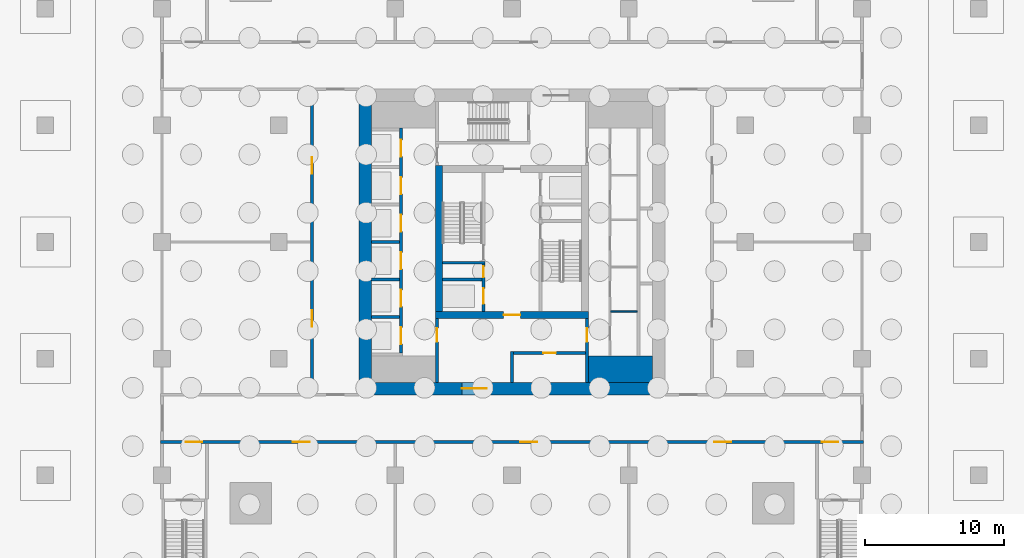
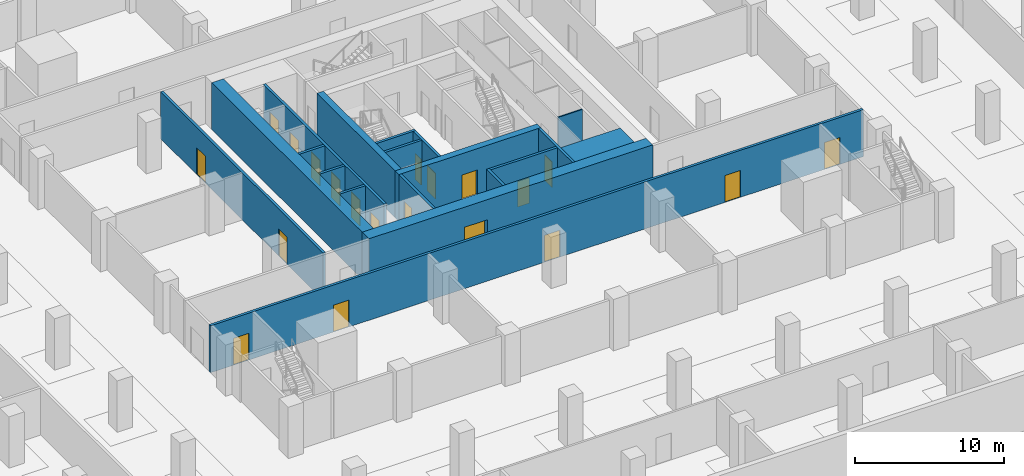
# One storey, part 7 of 19: 20 doors, 19 walls, 20 openings.
"""IFC4 building model written with IfcOpenShell, lengths in metres."""

from ifc_helpers import new_model, si_unit, direction, frame, frame_2d, origin, place, context, subcontext, project, spatial, rectangle, extrude, material, layer, layer_set, type_object, element, fill, save


model = new_model("IFC4")

# Units and contexts
model_context = context("Model", 3, precision=1e-05, world=origin(), true_north=direction((0.0, 1.0)))
body_context = subcontext(model_context, "Body", "Model", "MODEL_VIEW")
ifc_project = project(units=[si_unit("LENGTHUNIT", "METRE"), si_unit("AREAUNIT", "SQUARE_METRE"), si_unit("VOLUMEUNIT", "CUBIC_METRE"), si_unit("PLANEANGLEUNIT", "RADIAN"), si_unit("MASSUNIT", "GRAM", prefix="KILO")], contexts=[model_context])

# Site, building, storey
site_placement = place(None, origin())
site = spatial("IfcSite", under=ifc_project, at=site_placement, CompositionType="ELEMENT")
building_placement = place(site_placement, origin())
building = spatial("IfcBuilding", under=site, at=building_placement, Name="Khepri Terraces", CompositionType="ELEMENT")
storey_placement = place(building_placement, frame((0.0, 0.0, -8.39990234375)))
storey = spatial("IfcBuildingStorey", under=building, at=storey_placement, Name="B2", CompositionType="ELEMENT", Elevation=-8.39990234375)

# Walls
ifc_material_1 = material(Name="Concrete C80/95", Category="concrete")
ifc_layer_1 = layer(ifc_material_1, 1.89990234375, Name="Concrete C80/95", Category="concrete")
ifc_layer_set_1 = layer_set([ifc_layer_1], Name="Concrete C80/95")
wall_type_1 = type_object("IfcWallType", Name="Core wall 1900 C80/95", PredefinedType="SHEAR", material=ifc_layer_set_1)
wall_1_placement = place(storey_placement, frame((5.5, -9.14990234375, 0.0), z_axis=(0.0, 0.0, 1.0), x_axis=(1.0, 0.0, 0.0)))
element("IfcWall", 1, at=wall_1_placement, inside=storey, type_object=wall_type_1, Name="Core wall PR02 B2", PredefinedType="SHEAR", context=body_context, shape_type="SweptSolid", body=[
    extrude(rectangle(XDim=4.60009765625, YDim=1.89990234375, at=frame_2d((2.300048828125, 0.0))), origin(), (0.0, 0.0, 1.0), 3.849853515625),
])
ifc_layer_2 = layer(ifc_material_1, 0.199951171875, Name="Concrete C80/95", Category="concrete")
ifc_layer_set_2 = layer_set([ifc_layer_2], Name="Concrete C80/95")
wall_type_2 = type_object("IfcWallType", Name="Core wall 200 C80/95", PredefinedType="SHEAR", material=ifc_layer_set_2)
wall_2_placement = place(storey_placement, frame((-5.0, -1.5, 0.0), z_axis=(0.0, 0.0, 1.0), x_axis=(1.0, 0.0, 0.0)))
element("IfcWall", 2, at=wall_2_placement, inside=storey, type_object=wall_type_2, Name="Core wall ST02 B2", PredefinedType="SHEAR", context=body_context, shape_type="SweptSolid", body=[
    extrude(rectangle(XDim=3.050048828125, YDim=0.199951171875, at=frame_2d((1.52490234375, 0.0))), origin(), (0.0, 0.0, 1.0), 3.849853515625),
])

# Wall, openings, doors
wall_3_placement = place(storey_placement, frame((-8.0, -8.0, 0.0), z_axis=(0.0, 0.0, 1.0), x_axis=(0.0, 1.0, 0.0)))
wall_3 = element("IfcWall", 3, at=wall_3_placement, inside=storey, type_object=wall_type_2, Name="Core wall SH03 B2", PredefinedType="SHEAR", context=body_context, shape_type="SweptSolid", body=[
    extrude(rectangle(XDim=16.199951171875, YDim=0.199951171875, at=frame_2d((8.10009765625, 0.0))), origin(), (0.0, 0.0, 1.0), 3.849853515625),
])
opening_1_placement = place(wall_3_placement, frame((0.64990234375, 0.0, 0.0)))
opening_1 = element("IfcOpeningElement", 4, at=opening_1_placement, cuts=wall_3, Name="Opening B2-C01", PredefinedType="OPENING", context=body_context, shape_type="SweptSolid", body=[
    extrude(rectangle(XDim=1.199951171875, YDim=2.10009765625, at=frame_2d((0.60009765625, 1.050048828125))), frame((0.0, 0.10986328125, 0.0), z_axis=(0.0, -1.0, 0.0), x_axis=(1.0, 0.0, 0.0)), (0.0, 0.0, 1.0), 0.219970703125),
])
opening_2_placement = place(wall_3_placement, frame((3.35009765625, 0.0, 0.0)))
opening_2 = element("IfcOpeningElement", 5, at=opening_2_placement, cuts=wall_3, Name="Opening B2-C02", PredefinedType="OPENING", context=body_context, shape_type="SweptSolid", body=[
    extrude(rectangle(XDim=1.199951171875, YDim=2.10009765625, at=frame_2d((0.60009765625, 1.050048828125))), frame((0.0, 0.10986328125, 0.0), z_axis=(0.0, -1.0, 0.0), x_axis=(1.0, 0.0, 0.0)), (0.0, 0.0, 1.0), 0.219970703125),
])
opening_3_placement = place(wall_3_placement, frame((6.050048828125, 0.0, 0.0)))
opening_3 = element("IfcOpeningElement", 6, at=opening_3_placement, cuts=wall_3, Name="Opening B2-C03", PredefinedType="OPENING", context=body_context, shape_type="SweptSolid", body=[
    extrude(rectangle(XDim=1.199951171875, YDim=2.10009765625, at=frame_2d((0.60009765625, 1.050048828125))), frame((0.0, 0.10986328125, 0.0), z_axis=(0.0, -1.0, 0.0), x_axis=(1.0, 0.0, 0.0)), (0.0, 0.0, 1.0), 0.219970703125),
])
opening_4_placement = place(wall_3_placement, frame((8.75, 0.0, 0.0)))
opening_4 = element("IfcOpeningElement", 7, at=opening_4_placement, cuts=wall_3, Name="Opening B2-C04", PredefinedType="OPENING", context=body_context, shape_type="SweptSolid", body=[
    extrude(rectangle(XDim=1.199951171875, YDim=2.10009765625, at=frame_2d((0.60009765625, 1.050048828125))), frame((0.0, 0.10986328125, 0.0), z_axis=(0.0, -1.0, 0.0), x_axis=(1.0, 0.0, 0.0)), (0.0, 0.0, 1.0), 0.219970703125),
])
opening_5_placement = place(wall_3_placement, frame((11.449951171875, 0.0, 0.0)))
opening_5 = element("IfcOpeningElement", 8, at=opening_5_placement, cuts=wall_3, Name="Opening B2-C05", PredefinedType="OPENING", context=body_context, shape_type="SweptSolid", body=[
    extrude(rectangle(XDim=1.199951171875, YDim=2.10009765625, at=frame_2d((0.60009765625, 1.050048828125))), frame((0.0, 0.10986328125, 0.0), z_axis=(0.0, -1.0, 0.0), x_axis=(1.0, 0.0, 0.0)), (0.0, 0.0, 1.0), 0.219970703125),
])
opening_6_placement = place(wall_3_placement, frame((14.14990234375, 0.0, 0.0)))
opening_6 = element("IfcOpeningElement", 9, at=opening_6_placement, cuts=wall_3, Name="Opening B2-C06", PredefinedType="OPENING", context=body_context, shape_type="SweptSolid", body=[
    extrude(rectangle(XDim=1.199951171875, YDim=2.10009765625, at=frame_2d((0.60009765625, 1.050048828125))), frame((0.0, 0.10986328125, 0.0), z_axis=(0.0, -1.0, 0.0), x_axis=(1.0, 0.0, 0.0)), (0.0, 0.0, 1.0), 0.219970703125),
])
ifc_material_2 = material(Name="Stainless steel 304", Category="steel")
door_type_1 = type_object("IfcDoorType", Name="DR-CORE-LANDING-1200", OperationType="NOTDEFINED", PredefinedType="DOOR", material=ifc_material_2)
door_1_placement = place(opening_1_placement, origin())
door_1 = element("IfcDoor", 10, at=door_1_placement, inside=storey, type_object=door_type_1, Name="Lift landing door B2-C01", OperationType="SLIDING_TO_LEFT", OverallHeight=2.10009765625, OverallWidth=1.199951171875, PredefinedType="DOOR", context=body_context, shape_type="SweptSolid", body=[
    extrude(rectangle(XDim=1.199951171875, YDim=2.10009765625, at=frame_2d((0.60009765625, 1.050048828125))), frame((0.0, 0.02490234375, 0.0), z_axis=(0.0, -1.0, 0.0), x_axis=(1.0, 0.0, 0.0)), (0.0, 0.0, 1.0), 0.050048828125),
])
fill(opening_1, door_1)
door_2_placement = place(opening_2_placement, origin())
door_2 = element("IfcDoor", 11, at=door_2_placement, inside=storey, type_object=door_type_1, Name="Lift landing door B2-C02", OperationType="SLIDING_TO_LEFT", OverallHeight=2.10009765625, OverallWidth=1.199951171875, PredefinedType="DOOR", context=body_context, shape_type="SweptSolid", body=[
    extrude(rectangle(XDim=1.199951171875, YDim=2.10009765625, at=frame_2d((0.60009765625, 1.050048828125))), frame((0.0, 0.02490234375, 0.0), z_axis=(0.0, -1.0, 0.0), x_axis=(1.0, 0.0, 0.0)), (0.0, 0.0, 1.0), 0.050048828125),
])
fill(opening_2, door_2)
door_3_placement = place(opening_3_placement, origin())
door_3 = element("IfcDoor", 12, at=door_3_placement, inside=storey, type_object=door_type_1, Name="Lift landing door B2-C03", OperationType="SLIDING_TO_LEFT", OverallHeight=2.10009765625, OverallWidth=1.199951171875, PredefinedType="DOOR", context=body_context, shape_type="SweptSolid", body=[
    extrude(rectangle(XDim=1.199951171875, YDim=2.10009765625, at=frame_2d((0.60009765625, 1.050048828125))), frame((0.0, 0.02490234375, 0.0), z_axis=(0.0, -1.0, 0.0), x_axis=(1.0, 0.0, 0.0)), (0.0, 0.0, 1.0), 0.050048828125),
])
fill(opening_3, door_3)
door_4_placement = place(opening_4_placement, origin())
door_4 = element("IfcDoor", 13, at=door_4_placement, inside=storey, type_object=door_type_1, Name="Lift landing door B2-C04", OperationType="SLIDING_TO_LEFT", OverallHeight=2.10009765625, OverallWidth=1.199951171875, PredefinedType="DOOR", context=body_context, shape_type="SweptSolid", body=[
    extrude(rectangle(XDim=1.199951171875, YDim=2.10009765625, at=frame_2d((0.60009765625, 1.050048828125))), frame((0.0, 0.02490234375, 0.0), z_axis=(0.0, -1.0, 0.0), x_axis=(1.0, 0.0, 0.0)), (0.0, 0.0, 1.0), 0.050048828125),
])
fill(opening_4, door_4)
door_5_placement = place(opening_5_placement, origin())
door_5 = element("IfcDoor", 14, at=door_5_placement, inside=storey, type_object=door_type_1, Name="Lift landing door B2-C05", OperationType="SLIDING_TO_LEFT", OverallHeight=2.10009765625, OverallWidth=1.199951171875, PredefinedType="DOOR", context=body_context, shape_type="SweptSolid", body=[
    extrude(rectangle(XDim=1.199951171875, YDim=2.10009765625, at=frame_2d((0.60009765625, 1.050048828125))), frame((0.0, 0.02490234375, 0.0), z_axis=(0.0, -1.0, 0.0), x_axis=(1.0, 0.0, 0.0)), (0.0, 0.0, 1.0), 0.050048828125),
])
fill(opening_5, door_5)
door_6_placement = place(opening_6_placement, origin())
door_6 = element("IfcDoor", 15, at=door_6_placement, inside=storey, type_object=door_type_1, Name="Lift landing door B2-C06", OperationType="SLIDING_TO_LEFT", OverallHeight=2.10009765625, OverallWidth=1.199951171875, PredefinedType="DOOR", context=body_context, shape_type="SweptSolid", body=[
    extrude(rectangle(XDim=1.199951171875, YDim=2.10009765625, at=frame_2d((0.60009765625, 1.050048828125))), frame((0.0, 0.02490234375, 0.0), z_axis=(0.0, -1.0, 0.0), x_axis=(1.0, 0.0, 0.0)), (0.0, 0.0, 1.0), 0.050048828125),
])
fill(opening_6, door_6)

# Wall
wall_4_placement = place(storey_placement, frame((-10.10009765625, -5.39990234375, 0.0), z_axis=(0.0, 0.0, 1.0), x_axis=(1.0, 0.0, 0.0)))
element("IfcWall", 16, at=wall_4_placement, inside=storey, type_object=wall_type_2, Name="Core wall SH04 B2", PredefinedType="SHEAR", context=body_context, shape_type="SweptSolid", body=[
    extrude(rectangle(XDim=2.0, YDim=0.199951171875, at=frame_2d((1.0, 0.0))), origin(), (0.0, 0.0, 1.0), 3.849853515625),
])

# Wall, openings, doors
wall_5_placement = place(storey_placement, frame((-2.050048828125, -5.0, 0.0), z_axis=(0.0, 0.0, 1.0), x_axis=(0.0, 1.0, 0.0)))
wall_5 = element("IfcWall", 17, at=wall_5_placement, inside=storey, type_object=wall_type_2, Name="Core wall SH05 B2", PredefinedType="SHEAR", context=body_context, shape_type="SweptSolid", body=[
    extrude(rectangle(XDim=3.39990234375, YDim=0.199951171875, at=frame_2d((1.699951171875, 0.0))), origin(), (0.0, 0.0, 1.0), 3.849853515625),
])
opening_7_placement = place(wall_5_placement, frame((0.550048828125, 0.0, 0.0)))
opening_7 = element("IfcOpeningElement", 18, at=opening_7_placement, cuts=wall_5, Name="Opening B2-C08", PredefinedType="OPENING", context=body_context, shape_type="SweptSolid", body=[
    extrude(rectangle(XDim=1.10009765625, YDim=2.10009765625, at=frame_2d((0.550048828125, 1.050048828125))), frame((0.0, 0.10986328125, 0.0), z_axis=(0.0, -1.0, 0.0), x_axis=(1.0, 0.0, 0.0)), (0.0, 0.0, 1.0), 0.219970703125),
])
opening_8_placement = place(wall_5_placement, frame((2.449951171875, 0.0, 0.0)))
opening_8 = element("IfcOpeningElement", 19, at=opening_8_placement, cuts=wall_5, Name="Opening B2-C12", PredefinedType="OPENING", context=body_context, shape_type="SweptSolid", body=[
    extrude(rectangle(XDim=0.800048828125, YDim=2.10009765625, at=frame_2d((0.39990234375, 1.050048828125))), frame((0.0, 0.10986328125, 0.0), z_axis=(0.0, -1.0, 0.0), x_axis=(1.0, 0.0, 0.0)), (0.0, 0.0, 1.0), 0.219970703125),
])
door_type_2 = type_object("IfcDoorType", Name="DR-CORE-FF-LANDING-1100", OperationType="NOTDEFINED", PredefinedType="DOOR", material=ifc_material_2)
door_7_placement = place(opening_7_placement, origin())
door_7 = element("IfcDoor", 20, at=door_7_placement, inside=storey, type_object=door_type_2, Name="Firefighting lift landing door B2-C08", OperationType="SLIDING_TO_LEFT", OverallHeight=2.10009765625, OverallWidth=1.10009765625, PredefinedType="DOOR", context=body_context, shape_type="SweptSolid", body=[
    extrude(rectangle(XDim=1.10009765625, YDim=2.10009765625, at=frame_2d((0.550048828125, 1.050048828125))), frame((0.0, 0.02490234375, 0.0), z_axis=(0.0, -1.0, 0.0), x_axis=(1.0, 0.0, 0.0)), (0.0, 0.0, 1.0), 0.050048828125),
])
fill(opening_7, door_7)
ifc_material_3 = material(Name="Painted steel", Category="steel")
door_type_3 = type_object("IfcDoorType", Name="DR-CORE-RISER-800", OperationType="NOTDEFINED", PredefinedType="DOOR", material=ifc_material_3)
door_8_placement = place(opening_8_placement, origin())
door_8 = element("IfcDoor", 21, at=door_8_placement, inside=storey, type_object=door_type_3, Name="Riser door B2-C12", OperationType="SINGLE_SWING_RIGHT", OverallHeight=2.10009765625, OverallWidth=0.800048828125, PredefinedType="DOOR", context=body_context, shape_type="SweptSolid", body=[
    extrude(rectangle(XDim=0.800048828125, YDim=2.10009765625, at=frame_2d((0.39990234375, 1.050048828125))), frame((0.0, 0.02490234375, 0.0), z_axis=(0.0, -1.0, 0.0), x_axis=(1.0, 0.0, 0.0)), (0.0, 0.0, 1.0), 0.050048828125),
])
fill(opening_8, door_8)

# Walls
wall_6_placement = place(storey_placement, frame((-10.10009765625, -2.699951171875, 0.0), z_axis=(0.0, 0.0, 1.0), x_axis=(1.0, 0.0, 0.0)))
element("IfcWall", 22, at=wall_6_placement, inside=storey, type_object=wall_type_2, Name="Core wall SH07 B2", PredefinedType="SHEAR", context=body_context, shape_type="SweptSolid", body=[
    extrude(rectangle(XDim=2.0, YDim=0.199951171875, at=frame_2d((1.0, 0.0))), origin(), (0.0, 0.0, 1.0), 3.849853515625),
])
wall_7_placement = place(storey_placement, frame((-5.0, -2.699951171875, 0.0), z_axis=(0.0, 0.0, 1.0), x_axis=(1.0, 0.0, 0.0)))
element("IfcWall", 23, at=wall_7_placement, inside=storey, type_object=wall_type_2, Name="Core wall SH08 B2", PredefinedType="SHEAR", context=body_context, shape_type="SweptSolid", body=[
    extrude(rectangle(XDim=2.85009765625, YDim=0.199951171875, at=frame_2d((1.425048828125, 0.0))), origin(), (0.0, 0.0, 1.0), 3.849853515625),
])
wall_8_placement = place(storey_placement, frame((-10.10009765625, 0.0, 0.0), z_axis=(0.0, 0.0, 1.0), x_axis=(1.0, 0.0, 0.0)))
element("IfcWall", 24, at=wall_8_placement, inside=storey, type_object=wall_type_2, Name="Core wall SH09 B2", PredefinedType="SHEAR", context=body_context, shape_type="SweptSolid", body=[
    extrude(rectangle(XDim=2.0, YDim=0.199951171875, at=frame_2d((1.0, 0.0))), origin(), (0.0, 0.0, 1.0), 3.849853515625),
])

# Wall, opening, door
ifc_layer_3 = layer(ifc_material_1, 0.5, Name="Concrete C80/95", Category="concrete")
ifc_layer_set_3 = layer_set([ifc_layer_3], Name="Concrete C80/95")
wall_type_3 = type_object("IfcWallType", Name="Core wall 500 C80/95", PredefinedType="SHEAR", material=ifc_layer_set_3)
wall_9_placement = place(storey_placement, frame((-5.5, -5.25, 0.0), z_axis=(0.0, 0.0, 1.0), x_axis=(1.0, 0.0, 0.0)))
wall_9 = element("IfcWall", 25, at=wall_9_placement, inside=storey, type_object=wall_type_3, Name="Core wall BX01 B2", PredefinedType="SHEAR", context=body_context, shape_type="SweptSolid", body=[
    extrude(rectangle(XDim=11.0, YDim=0.5, at=frame_2d((5.5, 0.0))), origin(), (0.0, 0.0, 1.0), 3.849853515625),
])
opening_9_placement = place(wall_9_placement, frame((4.89990234375, 0.0, 0.0)))
opening_9 = element("IfcOpeningElement", 26, at=opening_9_placement, cuts=wall_9, Name="Opening B2-C14", PredefinedType="OPENING", context=body_context, shape_type="SweptSolid", body=[
    extrude(rectangle(XDim=1.199951171875, YDim=2.10009765625, at=frame_2d((0.60009765625, 1.050048828125))), frame((0.0, 0.260009765625, 0.0), z_axis=(0.0, -1.0, 0.0), x_axis=(1.0, 0.0, 0.0)), (0.0, 0.0, 1.0), 0.52001953125),
])
door_type_4 = type_object("IfcDoorType", Name="DR-CORE-FF-LOBBY-1200", OperationType="NOTDEFINED", PredefinedType="DOOR", material=ifc_material_3)
door_9_placement = place(opening_9_placement, origin())
door_9 = element("IfcDoor", 27, at=door_9_placement, inside=storey, type_object=door_type_4, Name="Firefighting lobby door B2-C14", OperationType="SINGLE_SWING_RIGHT", OverallHeight=2.10009765625, OverallWidth=1.199951171875, PredefinedType="DOOR", context=body_context, shape_type="SweptSolid", body=[
    extrude(rectangle(XDim=1.199951171875, YDim=2.10009765625, at=frame_2d((0.60009765625, 1.050048828125))), frame((0.0, 0.02490234375, 0.0), z_axis=(0.0, -1.0, 0.0), x_axis=(1.0, 0.0, 0.0)), (0.0, 0.0, 1.0), 0.050048828125),
])
fill(opening_9, door_9)

# Wall
wall_10_placement = place(storey_placement, frame((-5.25, -5.0, 0.0), z_axis=(0.0, 0.0, 1.0), x_axis=(0.0, 1.0, 0.0)))
element("IfcWall", 28, at=wall_10_placement, inside=storey, type_object=wall_type_3, Name="Core wall BX02 B2", PredefinedType="SHEAR", context=body_context, shape_type="SweptSolid", body=[
    extrude(rectangle(XDim=10.5, YDim=0.5, at=frame_2d((5.25, 0.0))), origin(), (0.0, 0.0, 1.0), 3.849853515625),
])

# Wall, opening, door
ifc_layer_4 = layer(ifc_material_1, 0.89990234375, Name="Concrete C80/95", Category="concrete")
ifc_layer_set_4 = layer_set([ifc_layer_4], Name="Concrete C80/95")
wall_type_4 = type_object("IfcWallType", Name="Core wall 900 C80/95", PredefinedType="SHEAR", material=ifc_layer_set_4)
wall_11_placement = place(storey_placement, frame((-11.0, -10.550048828125, 0.0), z_axis=(0.0, 0.0, 1.0), x_axis=(1.0, 0.0, 0.0)))
wall_11 = element("IfcWall", 29, at=wall_11_placement, inside=storey, type_object=wall_type_4, Name="Core wall OW-S B2", PredefinedType="SHEAR", context=body_context, shape_type="SweptSolid", body=[
    extrude(rectangle(XDim=22.0, YDim=0.89990234375, at=frame_2d((11.0, 0.0))), origin(), (0.0, 0.0, 1.0), 3.849853515625),
])
opening_10_placement = place(wall_11_placement, frame((7.39990234375, 0.0, 0.0)))
opening_10 = element("IfcOpeningElement", 30, at=opening_10_placement, cuts=wall_11, Name="Opening B2-C21", PredefinedType="OPENING", context=body_context, shape_type="SweptSolid", body=[
    extrude(rectangle(XDim=1.800048828125, YDim=2.199951171875, at=frame_2d((0.89990234375, 1.10009765625))), frame((0.0, 0.4599609375, 0.0), z_axis=(0.0, -1.0, 0.0), x_axis=(1.0, 0.0, 0.0)), (0.0, 0.0, 1.0), 0.919921875),
])
door_type_5 = type_object("IfcDoorType", Name="DR-CORE-ENTRANCE-1800", OperationType="NOTDEFINED", PredefinedType="DOOR", material=ifc_material_3)
door_10_placement = place(opening_10_placement, frame((1.800048828125, 0.0, 0.0), z_axis=(0.0, 0.0, 1.0), x_axis=(-1.0, 0.0, 0.0)))
door_10 = element("IfcDoor", 31, at=door_10_placement, inside=storey, type_object=door_type_5, Name="Core entrance door pair B2-C21", OperationType="DOUBLE_DOOR_SINGLE_SWING", OverallHeight=2.199951171875, OverallWidth=1.800048828125, PredefinedType="DOOR", context=body_context, shape_type="SweptSolid", body=[
    extrude(rectangle(XDim=1.800048828125, YDim=2.199951171875, at=frame_2d((0.89990234375, 1.10009765625))), frame((0.0, 0.02490234375, 0.0), z_axis=(0.0, -1.0, 0.0), x_axis=(1.0, 0.0, 0.0)), (0.0, 0.0, 1.0), 0.050048828125),
])
fill(opening_10, door_10)

# Walls
wall_12_placement = place(storey_placement, frame((-10.550048828125, -10.10009765625, 0.0), z_axis=(0.0, 0.0, 1.0), x_axis=(0.0, 1.0, 0.0)))
element("IfcWall", 32, at=wall_12_placement, inside=storey, type_object=wall_type_4, Name="Core wall OW-W B2", PredefinedType="SHEAR", context=body_context, shape_type="SweptSolid", body=[
    extrude(rectangle(XDim=20.2001953125, YDim=0.89990234375, at=frame_2d((10.10009765625, 0.0))), origin(), (0.0, 0.0, 1.0), 3.849853515625),
])
ifc_material_4 = material(Name="Fire-rated gypsum board partition")
ifc_layer_5 = layer(ifc_material_4, 0.10009765625, Name="Fire-rated gypsum board partition")
ifc_layer_set_5 = layer_set([ifc_layer_5], Name="Fire-rated gypsum board partition")
wall_type_5 = type_object("IfcWallType", Name="WL-CORE-PART-100", PredefinedType="PARTITIONING", material=ifc_layer_set_5)
wall_13_placement = place(storey_placement, frame((7.10009765625, -5.0, 0.0), z_axis=(0.0, 0.0, 1.0), x_axis=(1.0, 0.0, 0.0)))
element("IfcWall", 33, at=wall_13_placement, inside=storey, type_object=wall_type_5, Name="Core partition PT06 B2", PredefinedType="PARTITIONING", context=body_context, shape_type="SweptSolid", body=[
    extrude(rectangle(XDim=1.89990234375, YDim=0.10009765625, at=frame_2d((0.949951171875, 0.0))), origin(), (0.0, 0.0, 1.0), 3.849853515625),
])

# Wall, opening, door
ifc_layer_6 = layer(ifc_material_4, 0.199951171875, Name="Fire-rated gypsum board partition")
ifc_layer_set_6 = layer_set([ifc_layer_6], Name="Fire-rated gypsum board partition")
wall_type_6 = type_object("IfcWallType", Name="WL-CORE-PART-200", PredefinedType="PARTITIONING", material=ifc_layer_set_6)
wall_14_placement = place(storey_placement, frame((-5.39990234375, -10.10009765625, 0.0), z_axis=(0.0, 0.0, 1.0), x_axis=(0.0, 1.0, 0.0)))
wall_14 = element("IfcWall", 34, at=wall_14_placement, inside=storey, type_object=wall_type_6, Name="Core partition PT01 B2", PredefinedType="PARTITIONING", context=body_context, shape_type="SweptSolid", body=[
    extrude(rectangle(XDim=4.60009765625, YDim=0.199951171875, at=frame_2d((2.300048828125, 0.0))), origin(), (0.0, 0.0, 1.0), 3.849853515625),
])
opening_11_placement = place(wall_14_placement, frame((2.89990234375, 0.0, 0.0)))
opening_11 = element("IfcOpeningElement", 35, at=opening_11_placement, cuts=wall_14, Name="Opening B2-C18", PredefinedType="OPENING", context=body_context, shape_type="SweptSolid", body=[
    extrude(rectangle(XDim=1.0, YDim=2.10009765625, at=frame_2d((0.5, 1.050048828125))), frame((0.0, 0.10986328125, 0.0), z_axis=(0.0, -1.0, 0.0), x_axis=(1.0, 0.0, 0.0)), (0.0, 0.0, 1.0), 0.219970703125),
])
door_type_6 = type_object("IfcDoorType", Name="DR-CORE-LOBBY-1000", OperationType="NOTDEFINED", PredefinedType="DOOR", material=ifc_material_3)
door_11_placement = place(opening_11_placement, frame((1.0, 0.0, 0.0), z_axis=(0.0, 0.0, 1.0), x_axis=(-1.0, 0.0, 0.0)))
door_11 = element("IfcDoor", 36, at=door_11_placement, inside=storey, type_object=door_type_6, Name="Lobby door B2-C18", OperationType="SINGLE_SWING_LEFT", OverallHeight=2.10009765625, OverallWidth=1.0, PredefinedType="DOOR", context=body_context, shape_type="SweptSolid", body=[
    extrude(rectangle(XDim=1.0, YDim=2.10009765625, at=frame_2d((0.5, 1.050048828125))), frame((0.0, 0.02490234375, 0.0), z_axis=(0.0, -1.0, 0.0), x_axis=(1.0, 0.0, 0.0)), (0.0, 0.0, 1.0), 0.050048828125),
])
fill(opening_11, door_11)

# Wall
wall_15_placement = place(storey_placement, frame((0.0, -10.10009765625, 0.0), z_axis=(0.0, 0.0, 1.0), x_axis=(0.0, 1.0, 0.0)))
element("IfcWall", 37, at=wall_15_placement, inside=storey, type_object=wall_type_6, Name="Core partition PT02 B2", PredefinedType="PARTITIONING", context=body_context, shape_type="SweptSolid", body=[
    extrude(rectangle(XDim=2.2001953125, YDim=0.199951171875, at=frame_2d((1.10009765625, 0.0))), origin(), (0.0, 0.0, 1.0), 3.849853515625),
])

# Wall, opening, door
wall_16_placement = place(storey_placement, frame((5.39990234375, -10.10009765625, 0.0), z_axis=(0.0, 0.0, 1.0), x_axis=(0.0, 1.0, 0.0)))
wall_16 = element("IfcWall", 38, at=wall_16_placement, inside=storey, type_object=wall_type_6, Name="Core partition PT03 B2", PredefinedType="PARTITIONING", context=body_context, shape_type="SweptSolid", body=[
    extrude(rectangle(XDim=4.60009765625, YDim=0.199951171875, at=frame_2d((2.300048828125, 0.0))), origin(), (0.0, 0.0, 1.0), 3.849853515625),
])
opening_12_placement = place(wall_16_placement, frame((2.89990234375, 0.0, 0.0)))
opening_12 = element("IfcOpeningElement", 39, at=opening_12_placement, cuts=wall_16, Name="Opening B2-C19", PredefinedType="OPENING", context=body_context, shape_type="SweptSolid", body=[
    extrude(rectangle(XDim=1.0, YDim=2.10009765625, at=frame_2d((0.5, 1.050048828125))), frame((0.0, 0.10986328125, 0.0), z_axis=(0.0, -1.0, 0.0), x_axis=(1.0, 0.0, 0.0)), (0.0, 0.0, 1.0), 0.219970703125),
])
door_12_placement = place(opening_12_placement, origin())
door_12 = element("IfcDoor", 40, at=door_12_placement, inside=storey, type_object=door_type_6, Name="Lobby door B2-C19", OperationType="SINGLE_SWING_RIGHT", OverallHeight=2.10009765625, OverallWidth=1.0, PredefinedType="DOOR", context=body_context, shape_type="SweptSolid", body=[
    extrude(rectangle(XDim=1.0, YDim=2.10009765625, at=frame_2d((0.5, 1.050048828125))), frame((0.0, 0.02490234375, 0.0), z_axis=(0.0, -1.0, 0.0), x_axis=(1.0, 0.0, 0.0)), (0.0, 0.0, 1.0), 0.050048828125),
])
fill(opening_12, door_12)

wall_17_placement = place(storey_placement, frame((0.10009765625, -8.0, 0.0), z_axis=(0.0, 0.0, 1.0), x_axis=(1.0, 0.0, 0.0)))
wall_17 = element("IfcWall", 41, at=wall_17_placement, inside=storey, type_object=wall_type_6, Name="Core partition PT05 B2", PredefinedType="PARTITIONING", context=body_context, shape_type="SweptSolid", body=[
    extrude(rectangle(XDim=5.199951171875, YDim=0.199951171875, at=frame_2d((2.60009765625, 0.0))), origin(), (0.0, 0.0, 1.0), 3.849853515625),
])
opening_13_placement = place(wall_17_placement, frame((2.14990234375, 0.0, 0.0)))
opening_13 = element("IfcOpeningElement", 42, at=opening_13_placement, cuts=wall_17, Name="Opening B2-C22", PredefinedType="OPENING", context=body_context, shape_type="SweptSolid", body=[
    extrude(rectangle(XDim=0.89990234375, YDim=2.10009765625, at=frame_2d((0.449951171875, 1.050048828125))), frame((0.0, 0.10986328125, 0.0), z_axis=(0.0, -1.0, 0.0), x_axis=(1.0, 0.0, 0.0)), (0.0, 0.0, 1.0), 0.219970703125),
])
door_type_7 = type_object("IfcDoorType", Name="DR-CORE-SERVICE-900", OperationType="NOTDEFINED", PredefinedType="DOOR", material=ifc_material_3)
door_13_placement = place(opening_13_placement, frame((0.89990234375, 0.0, 0.0), z_axis=(0.0, 0.0, 1.0), x_axis=(-1.0, 0.0, 0.0)))
door_13 = element("IfcDoor", 43, at=door_13_placement, inside=storey, type_object=door_type_7, Name="Service room door B2-C22", OperationType="SINGLE_SWING_LEFT", OverallHeight=2.10009765625, OverallWidth=0.89990234375, PredefinedType="DOOR", context=body_context, shape_type="SweptSolid", body=[
    extrude(rectangle(XDim=0.89990234375, YDim=2.10009765625, at=frame_2d((0.449951171875, 1.050048828125))), frame((0.0, 0.02490234375, 0.0), z_axis=(0.0, -1.0, 0.0), x_axis=(1.0, 0.0, 0.0)), (0.0, 0.0, 1.0), 0.050048828125),
])
fill(opening_13, door_13)

# Wall, openings, doors
ifc_material_5 = material(Name="Fire-rated block wall")
ifc_layer_7 = layer(ifc_material_5, 0.199951171875, Name="Fire-rated block wall")
ifc_layer_set_7 = layer_set([ifc_layer_7], Name="Fire-rated block wall")
wall_type_7 = type_object("IfcWallType", Name="WL-POD-200-EI120", PredefinedType="PARTITIONING", material=ifc_layer_set_7)
wall_18_placement = place(storey_placement, frame((-25.300048828125, -14.39990234375, 0.0), z_axis=(0.0, 0.0, 1.0), x_axis=(1.0, 0.0, 0.0)))
wall_18 = element("IfcWall", 44, at=wall_18_placement, inside=storey, type_object=wall_type_7, Name="Partition B2-PW014", PredefinedType="PARTITIONING", context=body_context, shape_type="SweptSolid", body=[
    extrude(rectangle(XDim=50.60009765625, YDim=0.199951171875, at=frame_2d((25.300048828125, 0.0))), origin(), (0.0, 0.0, 1.0), 3.849853515625),
])
opening_14_placement = place(wall_18_placement, frame((1.800048828125, 0.0, 0.0)))
opening_14 = element("IfcOpeningElement", 45, at=opening_14_placement, cuts=wall_18, Name="Opening B2-P07", PredefinedType="OPENING", context=body_context, shape_type="SweptSolid", body=[
    extrude(rectangle(XDim=1.199951171875, YDim=2.199951171875, at=frame_2d((0.60009765625, 1.10009765625))), frame((0.0, 0.10986328125, 0.0), z_axis=(0.0, -1.0, 0.0), x_axis=(1.0, 0.0, 0.0)), (0.0, 0.0, 1.0), 0.219970703125),
])
opening_15_placement = place(wall_18_placement, frame((9.52490234375, 0.0, 0.0)))
opening_15 = element("IfcOpeningElement", 46, at=opening_15_placement, cuts=wall_18, Name="Opening B2-P08", PredefinedType="OPENING", context=body_context, shape_type="SweptSolid", body=[
    extrude(rectangle(XDim=1.199951171875, YDim=2.199951171875, at=frame_2d((0.60009765625, 1.10009765625))), frame((0.0, 0.10986328125, 0.0), z_axis=(0.0, -1.0, 0.0), x_axis=(1.0, 0.0, 0.0)), (0.0, 0.0, 1.0), 0.219970703125),
])
opening_16_placement = place(wall_18_placement, frame((25.89990234375, 0.0, 0.0)))
opening_16 = element("IfcOpeningElement", 47, at=opening_16_placement, cuts=wall_18, Name="Opening B2-P09", PredefinedType="OPENING", context=body_context, shape_type="SweptSolid", body=[
    extrude(rectangle(XDim=1.199951171875, YDim=2.199951171875, at=frame_2d((0.60009765625, 1.10009765625))), frame((0.0, 0.10986328125, 0.0), z_axis=(0.0, -1.0, 0.0), x_axis=(1.0, 0.0, 0.0)), (0.0, 0.0, 1.0), 0.219970703125),
])
opening_17_placement = place(wall_18_placement, frame((39.875, 0.0, 0.0)))
opening_17 = element("IfcOpeningElement", 48, at=opening_17_placement, cuts=wall_18, Name="Opening B2-P10", PredefinedType="OPENING", context=body_context, shape_type="SweptSolid", body=[
    extrude(rectangle(XDim=1.199951171875, YDim=2.199951171875, at=frame_2d((0.60009765625, 1.10009765625))), frame((0.0, 0.10986328125, 0.0), z_axis=(0.0, -1.0, 0.0), x_axis=(1.0, 0.0, 0.0)), (0.0, 0.0, 1.0), 0.219970703125),
])
opening_18_placement = place(wall_18_placement, frame((47.60009765625, 0.0, 0.0)))
opening_18 = element("IfcOpeningElement", 49, at=opening_18_placement, cuts=wall_18, Name="Opening B2-P11", PredefinedType="OPENING", context=body_context, shape_type="SweptSolid", body=[
    extrude(rectangle(XDim=1.199951171875, YDim=2.199951171875, at=frame_2d((0.60009765625, 1.10009765625))), frame((0.0, 0.10986328125, 0.0), z_axis=(0.0, -1.0, 0.0), x_axis=(1.0, 0.0, 0.0)), (0.0, 0.0, 1.0), 0.219970703125),
])
door_type_8 = type_object("IfcDoorType", Name="DR-POD-FIRE-1200", OperationType="NOTDEFINED", PredefinedType="DOOR", material=ifc_material_3)
door_14_placement = place(opening_14_placement, origin())
door_14 = element("IfcDoor", 50, at=door_14_placement, inside=storey, type_object=door_type_8, Name="Fire door B2-P07", OperationType="SINGLE_SWING_LEFT", OverallHeight=2.199951171875, OverallWidth=1.199951171875, PredefinedType="DOOR", context=body_context, shape_type="SweptSolid", body=[
    extrude(rectangle(XDim=1.199951171875, YDim=2.199951171875, at=frame_2d((0.60009765625, 1.10009765625))), frame((0.0, 0.02490234375, 0.0), z_axis=(0.0, -1.0, 0.0), x_axis=(1.0, 0.0, 0.0)), (0.0, 0.0, 1.0), 0.050048828125),
])
fill(opening_14, door_14)
door_15_placement = place(opening_18_placement, origin())
door_15 = element("IfcDoor", 51, at=door_15_placement, inside=storey, type_object=door_type_8, Name="Fire door B2-P11", OperationType="SINGLE_SWING_RIGHT", OverallHeight=2.199951171875, OverallWidth=1.199951171875, PredefinedType="DOOR", context=body_context, shape_type="SweptSolid", body=[
    extrude(rectangle(XDim=1.199951171875, YDim=2.199951171875, at=frame_2d((0.60009765625, 1.10009765625))), frame((0.0, 0.02490234375, 0.0), z_axis=(0.0, -1.0, 0.0), x_axis=(1.0, 0.0, 0.0)), (0.0, 0.0, 1.0), 0.050048828125),
])
fill(opening_18, door_15)
door_type_9 = type_object("IfcDoorType", Name="DR-POD-PLANT-1200", OperationType="NOTDEFINED", PredefinedType="DOOR", material=ifc_material_3)
door_16_placement = place(opening_15_placement, origin())
door_16 = element("IfcDoor", 52, at=door_16_placement, inside=storey, type_object=door_type_9, Name="Plant room door B2-P08", OperationType="SINGLE_SWING_RIGHT", OverallHeight=2.199951171875, OverallWidth=1.199951171875, PredefinedType="DOOR", context=body_context, shape_type="SweptSolid", body=[
    extrude(rectangle(XDim=1.199951171875, YDim=2.199951171875, at=frame_2d((0.60009765625, 1.10009765625))), frame((0.0, 0.02490234375, 0.0), z_axis=(0.0, -1.0, 0.0), x_axis=(1.0, 0.0, 0.0)), (0.0, 0.0, 1.0), 0.050048828125),
])
fill(opening_15, door_16)
door_17_placement = place(opening_16_placement, origin())
door_17 = element("IfcDoor", 53, at=door_17_placement, inside=storey, type_object=door_type_9, Name="Plant room door B2-P09", OperationType="SINGLE_SWING_LEFT", OverallHeight=2.199951171875, OverallWidth=1.199951171875, PredefinedType="DOOR", context=body_context, shape_type="SweptSolid", body=[
    extrude(rectangle(XDim=1.199951171875, YDim=2.199951171875, at=frame_2d((0.60009765625, 1.10009765625))), frame((0.0, 0.02490234375, 0.0), z_axis=(0.0, -1.0, 0.0), x_axis=(1.0, 0.0, 0.0)), (0.0, 0.0, 1.0), 0.050048828125),
])
fill(opening_16, door_17)
door_18_placement = place(opening_17_placement, origin())
door_18 = element("IfcDoor", 54, at=door_18_placement, inside=storey, type_object=door_type_9, Name="Plant room door B2-P10", OperationType="SINGLE_SWING_LEFT", OverallHeight=2.199951171875, OverallWidth=1.199951171875, PredefinedType="DOOR", context=body_context, shape_type="SweptSolid", body=[
    extrude(rectangle(XDim=1.199951171875, YDim=2.199951171875, at=frame_2d((0.60009765625, 1.10009765625))), frame((0.0, 0.02490234375, 0.0), z_axis=(0.0, -1.0, 0.0), x_axis=(1.0, 0.0, 0.0)), (0.0, 0.0, 1.0), 0.050048828125),
])
fill(opening_17, door_18)

ifc_layer_8 = layer(ifc_material_5, 0.199951171875, Name="Fire-rated block wall")
ifc_layer_set_8 = layer_set([ifc_layer_8], Name="Fire-rated block wall")
wall_type_8 = type_object("IfcWallType", Name="WL-POD-200-EI60", PredefinedType="PARTITIONING", material=ifc_layer_set_8)
wall_19_placement = place(storey_placement, frame((-14.39990234375, -10.89990234375, 0.0), z_axis=(0.0, 0.0, 1.0), x_axis=(0.0, 1.0, 0.0)))
wall_19 = element("IfcWall", 55, at=wall_19_placement, inside=storey, type_object=wall_type_8, Name="Partition B2-PW073", PredefinedType="PARTITIONING", context=body_context, shape_type="SweptSolid", body=[
    extrude(rectangle(XDim=21.7998046875, YDim=0.199951171875, at=frame_2d((10.89990234375, 0.0))), origin(), (0.0, 0.0, 1.0), 3.849853515625),
])
opening_19_placement = place(wall_19_placement, frame((4.800048828125, 0.0, 0.0)))
opening_19 = element("IfcOpeningElement", 56, at=opening_19_placement, cuts=wall_19, Name="Opening B2-P16", PredefinedType="OPENING", context=body_context, shape_type="SweptSolid", body=[
    extrude(rectangle(XDim=1.199951171875, YDim=2.199951171875, at=frame_2d((0.60009765625, 1.10009765625))), frame((0.0, 0.10986328125, 0.0), z_axis=(0.0, -1.0, 0.0), x_axis=(1.0, 0.0, 0.0)), (0.0, 0.0, 1.0), 0.219970703125),
])
opening_20_placement = place(wall_19_placement, frame((15.800048828125, 0.0, 0.0)))
opening_20 = element("IfcOpeningElement", 57, at=opening_20_placement, cuts=wall_19, Name="Opening B2-P20", PredefinedType="OPENING", context=body_context, shape_type="SweptSolid", body=[
    extrude(rectangle(XDim=1.199951171875, YDim=2.199951171875, at=frame_2d((0.60009765625, 1.10009765625))), frame((0.0, 0.10986328125, 0.0), z_axis=(0.0, -1.0, 0.0), x_axis=(1.0, 0.0, 0.0)), (0.0, 0.0, 1.0), 0.219970703125),
])
ifc_material_6 = material(Name="Timber veneer", Category="wood")
door_type_10 = type_object("IfcDoorType", Name="DR-POD-SINGLE-1200", OperationType="NOTDEFINED", PredefinedType="DOOR", material=ifc_material_6)
door_19_placement = place(opening_19_placement, origin())
door_19 = element("IfcDoor", 58, at=door_19_placement, inside=storey, type_object=door_type_10, Name="Door B2-P16", OperationType="SINGLE_SWING_LEFT", OverallHeight=2.199951171875, OverallWidth=1.199951171875, PredefinedType="DOOR", context=body_context, shape_type="SweptSolid", body=[
    extrude(rectangle(XDim=1.199951171875, YDim=2.199951171875, at=frame_2d((0.60009765625, 1.10009765625))), frame((0.0, 0.02490234375, 0.0), z_axis=(0.0, -1.0, 0.0), x_axis=(1.0, 0.0, 0.0)), (0.0, 0.0, 1.0), 0.050048828125),
])
fill(opening_19, door_19)
door_20_placement = place(opening_20_placement, origin())
door_20 = element("IfcDoor", 59, at=door_20_placement, inside=storey, type_object=door_type_10, Name="Door B2-P20", OperationType="SINGLE_SWING_RIGHT", OverallHeight=2.199951171875, OverallWidth=1.199951171875, PredefinedType="DOOR", context=body_context, shape_type="SweptSolid", body=[
    extrude(rectangle(XDim=1.199951171875, YDim=2.199951171875, at=frame_2d((0.60009765625, 1.10009765625))), frame((0.0, 0.02490234375, 0.0), z_axis=(0.0, -1.0, 0.0), x_axis=(1.0, 0.0, 0.0)), (0.0, 0.0, 1.0), 0.050048828125),
])
fill(opening_20, door_20)

save(model, "model.ifc")
